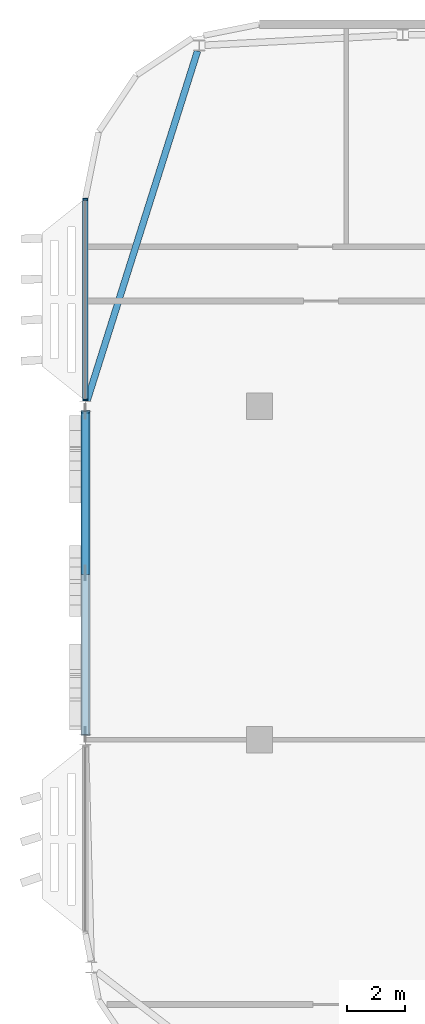
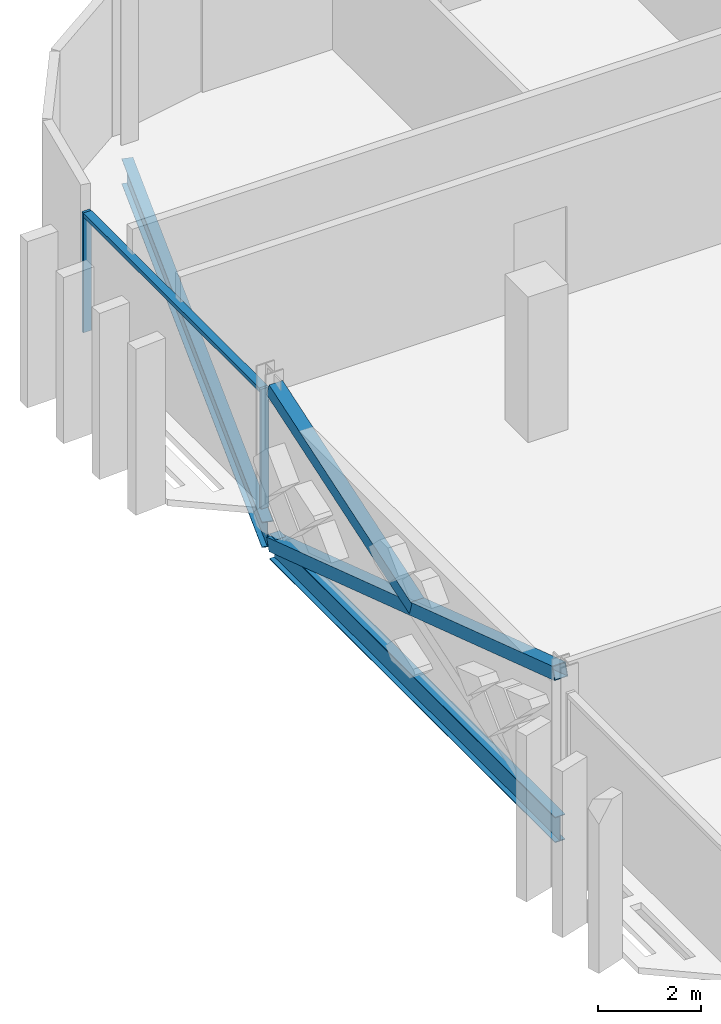
# One storey, part 6 of 25: 5 members, 2 beams, 1 element without a shape of its own.
"""IFC4 building model written with IfcOpenShell, lengths in metres."""

from ifc_helpers import new_model, si_unit, direction, frame, origin, origin_2d, place, context, subcontext, project, spatial, rectangle, hollow_rectangle, i_section, extrude, material, material_profile, profile_set, type_object, element, aggregate, save


model = new_model("IFC4")

# Units and contexts
model_context = context("Model", 3, precision=1e-05, world=origin(), true_north=direction((0.0, 1.0)))
body_context = subcontext(model_context, "Body", "Model", "MODEL_VIEW")
ifc_project = project(units=[si_unit("LENGTHUNIT", "METRE"), si_unit("AREAUNIT", "SQUARE_METRE"), si_unit("VOLUMEUNIT", "CUBIC_METRE"), si_unit("PLANEANGLEUNIT", "RADIAN"), si_unit("MASSUNIT", "GRAM", prefix="KILO")], contexts=[model_context])

# Site, building, storey
site_placement = place(None, origin())
site = spatial("IfcSite", under=ifc_project, at=site_placement, CompositionType="ELEMENT")
building_placement = place(site_placement, origin())
building = spatial("IfcBuilding", under=site, at=building_placement, Name="Mahtab Terrace Research Tower", CompositionType="ELEMENT")
storey_placement = place(building_placement, frame((0.0, 0.0, 278.5)))
storey = spatial("IfcBuildingStorey", under=building, at=storey_placement, Name="L68", CompositionType="ELEMENT", Elevation=278.5)

# Members
ifc_material_1 = material(Name="Steel ASTM A500 Gr C", Category="steel")
ifc_material_profile_1 = material_profile(ifc_material_1, hollow_rectangle(XDim=0.3046875, YDim=0.3046875, WallThickness=0.015869140625, at=origin_2d()), Name="HSS12X12X5/8")
ifc_profile_set_1 = profile_set([ifc_material_profile_1], Name="Steel ASTM A500 Gr C")
member_type_1 = type_object("IfcMemberType", Name="HSS 12x12x5/8 brace XB121258", PredefinedType="BRACE", material=ifc_profile_set_1)
member_1_placement = place(storey_placement, frame((-48.0, 11.31201171875, -0.58154296875), z_axis=(0.0, -0.949505289695, 0.313751023651), x_axis=(1.0, 0.0, 0.0)))
element("IfcMember", 1, at=member_1_placement, inside=storey, type_object=member_type_1, Name="Exoskeleton brace L68 11 a", PredefinedType="BRACE", context=body_context, shape_type="SweptSolid", body=[
    extrude(hollow_rectangle(XDim=0.3046875, YDim=0.3046875, WallThickness=0.015869140625, at=origin_2d()), origin(), (0.0, 0.0, 1.0), 11.715576171875),
])
member_2_placement = place(storey_placement, frame((-48.0, 5.75, 1.25634765625), z_axis=(0.0, 0.949505289695, 0.313751023651), x_axis=(-1.0, 0.0, 0.0)))
element("IfcMember", 2, at=member_2_placement, inside=storey, type_object=member_type_1, Name="Exoskeleton brace L68 11 b2", PredefinedType="BRACE", context=body_context, shape_type="SweptSolid", body=[
    extrude(hollow_rectangle(XDim=0.3046875, YDim=0.3046875, WallThickness=0.015869140625, at=origin_2d()), origin(), (0.0, 0.0, 1.0), 5.85791015625),
])

# Curtain wall, members
ifc_material_2 = material(Name="Office ribbon curtain wall")
curtain_wall_type = type_object("IfcCurtainWallType", Name="Office ribbon curtain wall", PredefinedType="NOTDEFINED", material=ifc_material_2)
curtain_wall_placement = place(storey_placement, origin())
curtain_wall = element("IfcCurtainWall", 3, at=curtain_wall_placement, inside=storey, type_object=curtain_wall_type, Name="EN.L68.8.8", PredefinedType="NOTDEFINED")
ifc_material_3 = material(Name="Natural anodised aluminium", Category="aluminium")
ifc_material_profile_2 = material_profile(ifc_material_3, rectangle(XDim=0.179931640625, YDim=0.06005859375, at=origin_2d()), Name="MULLION 60x180")
ifc_profile_set_2 = profile_set([ifc_material_profile_2], Name="Natural anodised aluminium")
member_type_2 = type_object("IfcMemberType", Name="Office ribbon curtain wall mullion", PredefinedType="MULLION", material=ifc_profile_set_2)
member_3_placement = place(storey_placement, frame((-48.0, 18.637939453125, 0.0), z_axis=(0.0, 0.0, 1.0), x_axis=(1.0, 0.0, 0.0)))
member_3 = element("IfcMember", 4, at=member_3_placement, type_object=member_type_2, Name="CWO-8 mullion 1", PredefinedType="MULLION", context=body_context, shape_type="SweptSolid", body=[
    extrude(rectangle(XDim=0.179931640625, YDim=0.06005859375, at=origin_2d()), origin(), (0.0, 0.0, 1.0), 2.852783203125),
])
member_4_placement = place(storey_placement, frame((-48.0, 11.718017578125, 0.0), z_axis=(0.0, 0.0, 1.0), x_axis=(1.0, 0.0, 0.0)))
member_4 = element("IfcMember", 5, at=member_4_placement, type_object=member_type_2, Name="CWO-8 mullion 2", PredefinedType="MULLION", context=body_context, shape_type="SweptSolid", body=[
    extrude(rectangle(XDim=0.179931640625, YDim=0.06005859375, at=origin_2d()), origin(), (0.0, 0.0, 1.0), 2.852783203125),
])
ifc_material_profile_3 = material_profile(ifc_material_3, rectangle(XDim=0.179931640625, YDim=0.10009765625, at=origin_2d()), Name="TRANSOM 100x180")
ifc_profile_set_3 = profile_set([ifc_material_profile_3], Name="Natural anodised aluminium")
member_type_3 = type_object("IfcMemberType", Name="Office ribbon curtain wall transom", PredefinedType="USERDEFINED", material=ifc_profile_set_3)
member_5_placement = place(storey_placement, frame((-48.0, 18.60791015625, 2.802978515625), z_axis=(0.0, -1.0, 0.0), x_axis=(1.0, 0.0, 0.0)))
member_5 = element("IfcMember", 6, at=member_5_placement, type_object=member_type_3, Name="CWO-8 transom 1", ObjectType="TRANSOM", PredefinedType="USERDEFINED", context=body_context, shape_type="SweptSolid", body=[
    extrude(rectangle(XDim=0.179931640625, YDim=0.10009765625, at=origin_2d()), origin(), (0.0, 0.0, 1.0), 6.85986328125),
])
aggregate(curtain_wall, [member_3, member_4, member_5])

# Beams
ifc_material_4 = material(Name="Steel ASTM A992 Gr 50", Category="steel")
ifc_material_profile_4 = material_profile(ifc_material_4, i_section(OverallWidth=0.228271484375, OverallDepth=0.607177734375, WebThickness=0.01123046875, FlangeThickness=0.017333984375, at=origin_2d()), Name="W24X76")
ifc_profile_set_4 = profile_set([ifc_material_profile_4], Name="Steel ASTM A992 Gr 50")
beam_type = type_object("IfcBeamType", Name="W24x76 beam BS2476", PredefinedType="BEAM", material=ifc_profile_set_4)
beam_1_placement = place(storey_placement, frame((-44.13134765625, 23.7490234375, -0.6435546875), z_axis=(-0.301172937978, -0.953569536756, 0.0), x_axis=(0.953569536756, -0.301172937978, 0.0)))
element("IfcBeam", 7, at=beam_1_placement, inside=storey, type_object=beam_type, Name="Spandrel beam L68 10", PredefinedType="BEAM", context=body_context, shape_type="SweptSolid", body=[
    extrude(i_section(OverallWidth=0.228271484375, OverallDepth=0.607177734375, WebThickness=0.01123046875, FlangeThickness=0.017333984375, at=origin_2d()), origin(), (0.0, 0.0, 1.0), 12.648193359375),
])
beam_2_placement = place(storey_placement, frame((-48.0, 11.31201171875, -0.6435546875), z_axis=(0.0, -1.0, 0.0), x_axis=(1.0, 0.0, 0.0)))
element("IfcBeam", 8, at=beam_2_placement, inside=storey, type_object=beam_type, Name="Spandrel beam L68 11", PredefinedType="BEAM", context=body_context, shape_type="SweptSolid", body=[
    extrude(i_section(OverallWidth=0.228271484375, OverallDepth=0.607177734375, WebThickness=0.01123046875, FlangeThickness=0.017333984375, at=origin_2d()), origin(), (0.0, 0.0, 1.0), 11.1240234375),
])

save(model, "model.ifc")
